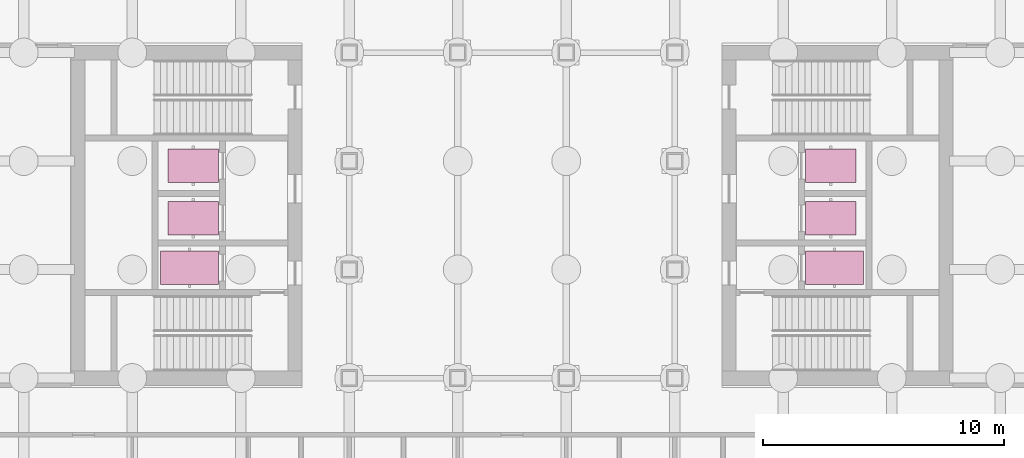
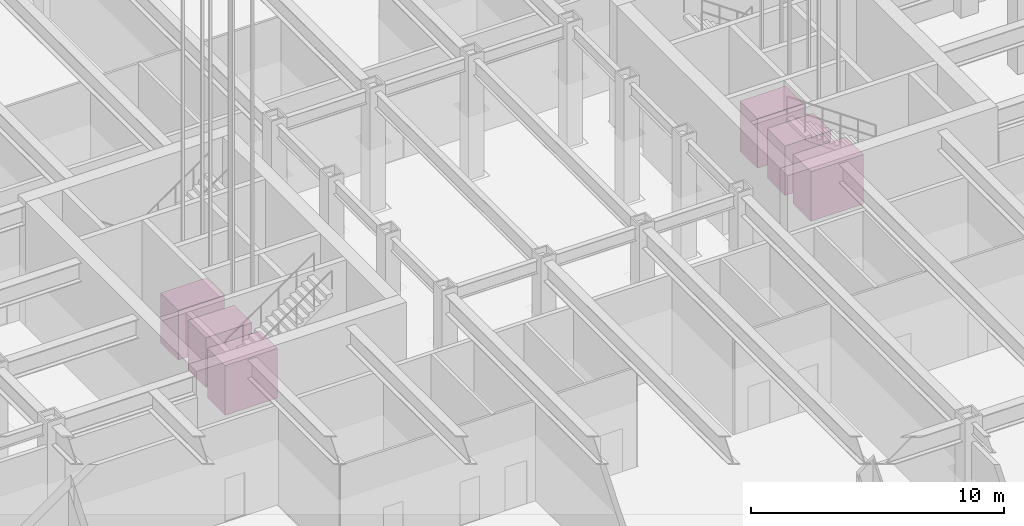
# One storey, part 39 of 39: 6 transport elements.
"""IFC4 building model written with IfcOpenShell, lengths in metres."""

from ifc_helpers import new_model, si_unit, direction, frame, origin, origin_2d, place, context, subcontext, project, spatial, rectangle, extrude, material, type_object, element, save


model = new_model("IFC4")

# Units and contexts
model_context = context("Model", 3, precision=1e-05, world=origin(), true_north=direction((0.0, 1.0)))
body_context = subcontext(model_context, "Body", "Model", "MODEL_VIEW")
ifc_project = project(units=[si_unit("LENGTHUNIT", "METRE"), si_unit("AREAUNIT", "SQUARE_METRE"), si_unit("VOLUMEUNIT", "CUBIC_METRE"), si_unit("PLANEANGLEUNIT", "RADIAN"), si_unit("MASSUNIT", "GRAM", prefix="KILO")], contexts=[model_context])

# Site, building, storey
site_placement = place(None, origin())
site = spatial("IfcSite", under=ifc_project, at=site_placement, CompositionType="ELEMENT")
building_placement = place(site_placement, origin())
building = spatial("IfcBuilding", under=site, at=building_placement, Name="Msasa Ring Tower", CompositionType="ELEMENT")
storey_placement = place(building_placement, origin())
storey = spatial("IfcBuildingStorey", under=building, at=storey_placement, Name="L00", CompositionType="ELEMENT", Elevation=0.0)

# Transport elements
ifc_material_1 = material(Name="Stainless steel lift car", Category="steel")
transport_element_type_1 = type_object("IfcTransportElementType", Name="FL FIREFIGHTING LIFT CAR 1400x2400 1275 KG", PredefinedType="ELEVATOR", material=ifc_material_1)
for number, where, z_axis, x_axis, name in (
    (1, (13.375, -2.175048828125, 0.050048828125), (0.0, 0.0, 1.0), (1.0, 0.0, 0.0), "Firefighting lift FL-E"),
    (2, (-13.375, -2.175048828125, 0.050048828125), (0.0, 0.0, 1.0), (1.0, 0.0, 0.0), "Firefighting lift FL-W"),
):
    element("IfcTransportElement", number, at=place(storey_placement, frame(where, z_axis=z_axis, x_axis=x_axis)), inside=storey, type_object=transport_element_type_1, Name=name, PredefinedType="ELEVATOR", context=body_context, shape_type="SweptSolid", body=[
        extrude(rectangle(XDim=2.39990234375, YDim=1.39990234375, at=origin_2d()), origin(), (0.0, 0.0, 1.0), 2.39990234375),
    ])
ifc_material_2 = material(Name="Stainless steel lift car", Category="steel")
transport_element_type_2 = type_object("IfcTransportElementType", Name="PLR RESIDENCE LIFT CAR 1400x2100 1275 KG", PredefinedType="ELEVATOR", material=ifc_material_2)
for number, where, z_axis, x_axis, name in (
    (3, (13.22509765625, -0.125, 0.050048828125), (0.0, 0.0, 1.0), (1.0, 0.0, 0.0), "Residence lift PL-R1"),
    (4, (13.22509765625, 2.050048828125, 0.050048828125), (0.0, 0.0, 1.0), (1.0, 0.0, 0.0), "Residence lift PL-R2"),
):
    element("IfcTransportElement", number, at=place(storey_placement, frame(where, z_axis=z_axis, x_axis=x_axis)), inside=storey, type_object=transport_element_type_2, Name=name, PredefinedType="ELEVATOR", context=body_context, shape_type="SweptSolid", body=[
        extrude(rectangle(XDim=2.10009765625, YDim=1.39990234375, at=origin_2d()), origin(), (0.0, 0.0, 1.0), 2.39990234375),
    ])
ifc_material_3 = material(Name="Stainless steel lift car", Category="steel")
transport_element_type_3 = type_object("IfcTransportElementType", Name="PLX HOTEL SHUTTLE LIFT CAR 1400x2100 1275 KG", PredefinedType="ELEVATOR", material=ifc_material_3)
for number, where, z_axis, x_axis, name in (
    (5, (-13.22509765625, -0.125, 0.050048828125), (0.0, 0.0, 1.0), (1.0, 0.0, 0.0), "Hotel shuttle lift PL-X1"),
    (6, (-13.22509765625, 2.050048828125, 0.050048828125), (0.0, 0.0, 1.0), (1.0, 0.0, 0.0), "Hotel shuttle lift PL-X2"),
):
    element("IfcTransportElement", number, at=place(storey_placement, frame(where, z_axis=z_axis, x_axis=x_axis)), inside=storey, type_object=transport_element_type_3, Name=name, PredefinedType="ELEVATOR", context=body_context, shape_type="SweptSolid", body=[
        extrude(rectangle(XDim=2.10009765625, YDim=1.39990234375, at=origin_2d()), origin(), (0.0, 0.0, 1.0), 2.39990234375),
    ])

save(model, "model.ifc")
